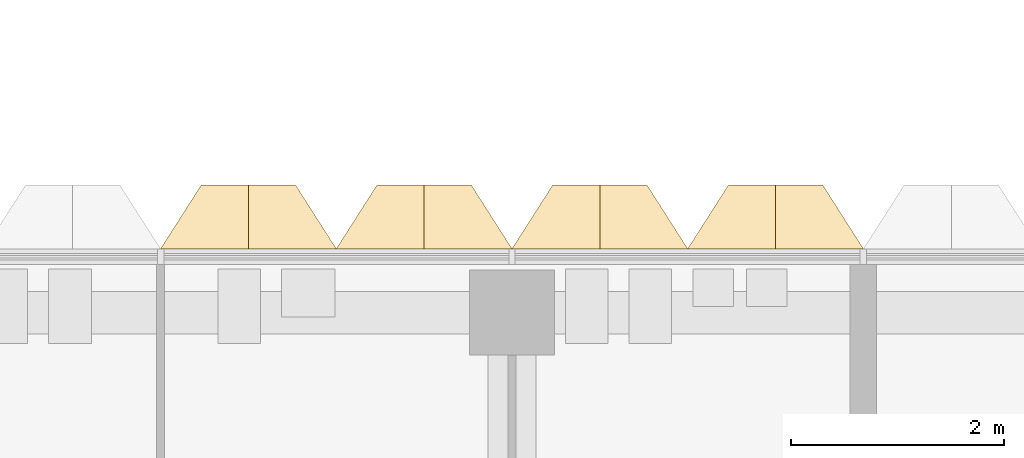
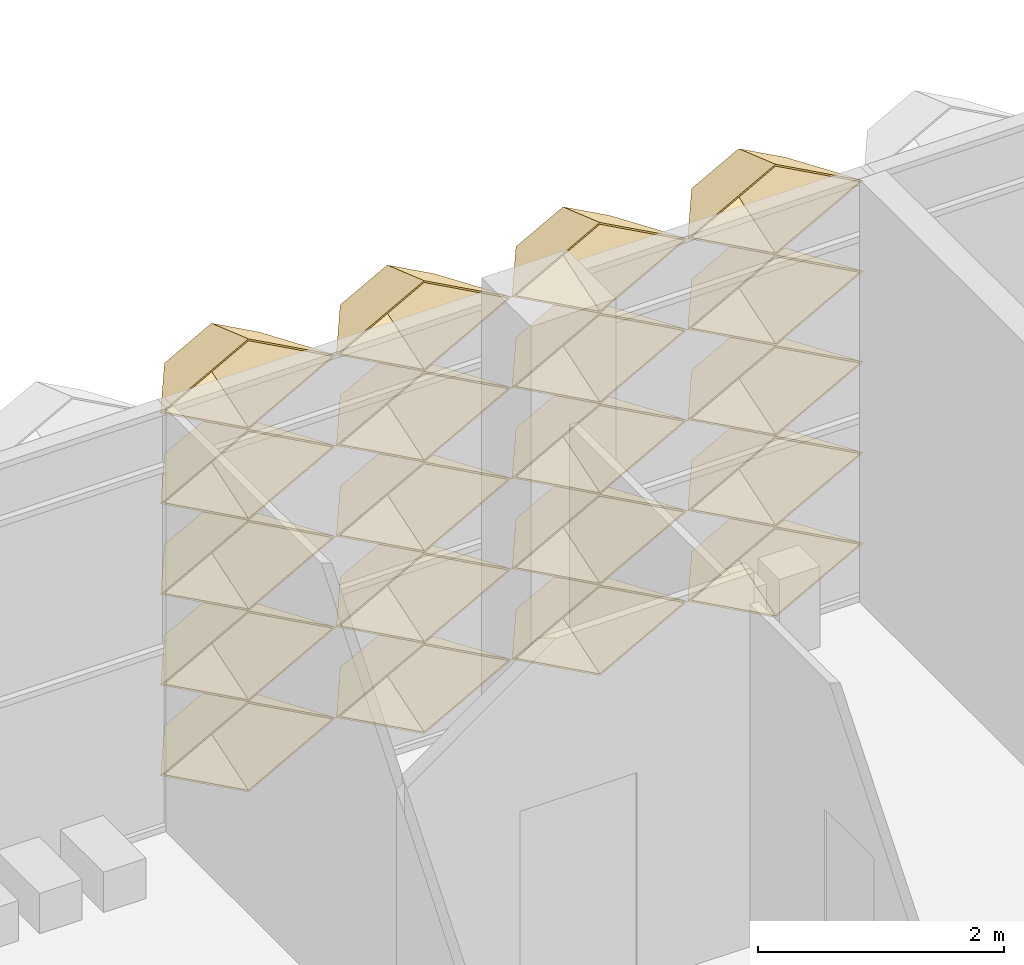
# One storey, part 28 of 39: 20 coverings.
"""IFC4 building model written with IfcOpenShell, lengths in metres."""

from ifc_helpers import new_model, entity, si_unit, direction, frame, origin, place, context, subcontext, project, spatial, material, layer, layer_set, type_object, element, save


model = new_model("IFC4")

# Units and contexts
model_context = context("Model", 3, precision=1e-05, world=origin(), true_north=direction((0.0, 1.0)))
body_context = subcontext(model_context, "Body", "Model", "MODEL_VIEW")
ifc_project = project(units=[si_unit("LENGTHUNIT", "METRE"), si_unit("AREAUNIT", "SQUARE_METRE"), si_unit("VOLUMEUNIT", "CUBIC_METRE"), si_unit("PLANEANGLEUNIT", "RADIAN"), si_unit("MASSUNIT", "GRAM", prefix="KILO")], contexts=[model_context])

# Site, building, storey
site_placement = place(None, origin())
site = spatial("IfcSite", under=ifc_project, at=site_placement, CompositionType="ELEMENT")
building_placement = place(site_placement, origin())
building = spatial("IfcBuilding", under=site, at=building_placement, Name="Lantern Court Research Institute", CompositionType="ELEMENT")
storey_placement = place(building_placement, frame((0.0, 0.0, 27.89990234375)))
storey = spatial("IfcBuildingStorey", under=building, at=storey_placement, Name="L06", CompositionType="ELEMENT", Elevation=27.89990234375)

# Coverings
ifc_material = material(Name="Anodised aluminium", Category="aluminium")
ifc_layer = layer(ifc_material, 0.01611328125)
ifc_layer_set = layer_set([ifc_layer], Name="Anodised aluminium")
covering_type = type_object("IfcCoveringType", Name="Fin cassette 1650 x 900 x 600 aluminium", PredefinedType="CLADDING", material=ifc_layer_set)
covering_1_placement = place(storey_placement, frame((56.925048828125, 23.699951171875, 0.4501953125), z_axis=(0.0, 1.0, 0.0), x_axis=(-1.0, 0.0, 0.0)))
cartesian_point_1 = entity("IfcCartesianPoint", [0.824951171875, 0.0])
cartesian_point_2 = entity("IfcCartesianPoint", [0.79150390625, 0.0])
cartesian_point_3 = entity("IfcCartesianPoint", [0.44189453125, 0.0])
cartesian_point_4 = entity("IfcCartesianPoint", [0.43359375, 0.0])
element("IfcCovering", 1, at=covering_1_placement, inside=storey, type_object=covering_type, Name="Fin cassette V5N-L06 1.35", PredefinedType="CLADDING", context=body_context, shape_type="SweptSolid", body=[
    entity("IfcExtrudedAreaSolidTapered", entity("IfcArbitraryProfileDefWithVoids", "AREA", None, entity("IfcPolyline", [cartesian_point_1, entity("IfcCartesianPoint", [0.0, 0.449951171875]), entity("IfcCartesianPoint", [-0.824951171875, 0.0]), entity("IfcCartesianPoint", [0.0, -0.449951171875]), cartesian_point_1]), [entity("IfcPolyline", [cartesian_point_2, entity("IfcCartesianPoint", [0.0, 0.431884765625]), entity("IfcCartesianPoint", [-0.79150390625, 0.0]), entity("IfcCartesianPoint", [0.0, -0.431884765625]), cartesian_point_2])]), entity("IfcAxis2Placement3D", entity("IfcCartesianPoint", [0.0, 0.0, 0.0])), entity("IfcDirection", [0.0, 0.0, 1.0]), 0.60009765625, entity("IfcArbitraryProfileDefWithVoids", "AREA", None, entity("IfcPolyline", [cartesian_point_3, entity("IfcCartesianPoint", [0.0, 0.240966796875]), entity("IfcCartesianPoint", [-0.44189453125, 0.0]), entity("IfcCartesianPoint", [0.0, -0.240966796875]), cartesian_point_3]), [entity("IfcPolyline", [cartesian_point_4, entity("IfcCartesianPoint", [0.0, 0.236572265625]), entity("IfcCartesianPoint", [-0.43359375, 0.0]), entity("IfcCartesianPoint", [0.0, -0.236572265625]), cartesian_point_4])])),
])
covering_2_placement = place(storey_placement, frame((58.574951171875, 23.699951171875, 0.4501953125), z_axis=(0.0, 1.0, 0.0), x_axis=(-1.0, 0.0, 0.0)))
cartesian_point_5 = entity("IfcCartesianPoint", [0.824951171875, 0.0])
cartesian_point_6 = entity("IfcCartesianPoint", [0.79150390625, 0.0])
cartesian_point_7 = entity("IfcCartesianPoint", [0.44189453125, 0.0])
cartesian_point_8 = entity("IfcCartesianPoint", [0.43359375, 0.0])
element("IfcCovering", 2, at=covering_2_placement, inside=storey, type_object=covering_type, Name="Fin cassette V5N-L06 1.36", PredefinedType="CLADDING", context=body_context, shape_type="SweptSolid", body=[
    entity("IfcExtrudedAreaSolidTapered", entity("IfcArbitraryProfileDefWithVoids", "AREA", None, entity("IfcPolyline", [cartesian_point_5, entity("IfcCartesianPoint", [0.0, 0.449951171875]), entity("IfcCartesianPoint", [-0.824951171875, 0.0]), entity("IfcCartesianPoint", [0.0, -0.449951171875]), cartesian_point_5]), [entity("IfcPolyline", [cartesian_point_6, entity("IfcCartesianPoint", [0.0, 0.431884765625]), entity("IfcCartesianPoint", [-0.79150390625, 0.0]), entity("IfcCartesianPoint", [0.0, -0.431884765625]), cartesian_point_6])]), entity("IfcAxis2Placement3D", entity("IfcCartesianPoint", [0.0, 0.0, 0.0])), entity("IfcDirection", [0.0, 0.0, 1.0]), 0.60009765625, entity("IfcArbitraryProfileDefWithVoids", "AREA", None, entity("IfcPolyline", [cartesian_point_7, entity("IfcCartesianPoint", [0.0, 0.240966796875]), entity("IfcCartesianPoint", [-0.44189453125, 0.0]), entity("IfcCartesianPoint", [0.0, -0.240966796875]), cartesian_point_7]), [entity("IfcPolyline", [cartesian_point_8, entity("IfcCartesianPoint", [0.0, 0.236572265625]), entity("IfcCartesianPoint", [-0.43359375, 0.0]), entity("IfcCartesianPoint", [0.0, -0.236572265625]), cartesian_point_8])])),
])
covering_3_placement = place(storey_placement, frame((60.22509765625, 23.699951171875, 0.4501953125), z_axis=(0.0, 1.0, 0.0), x_axis=(-1.0, 0.0, 0.0)))
cartesian_point_9 = entity("IfcCartesianPoint", [0.824951171875, 0.0])
cartesian_point_10 = entity("IfcCartesianPoint", [0.79150390625, 0.0])
cartesian_point_11 = entity("IfcCartesianPoint", [0.44189453125, 0.0])
cartesian_point_12 = entity("IfcCartesianPoint", [0.43359375, 0.0])
element("IfcCovering", 3, at=covering_3_placement, inside=storey, type_object=covering_type, Name="Fin cassette V5N-L06 1.37", PredefinedType="CLADDING", context=body_context, shape_type="SweptSolid", body=[
    entity("IfcExtrudedAreaSolidTapered", entity("IfcArbitraryProfileDefWithVoids", "AREA", None, entity("IfcPolyline", [cartesian_point_9, entity("IfcCartesianPoint", [0.0, 0.449951171875]), entity("IfcCartesianPoint", [-0.824951171875, 0.0]), entity("IfcCartesianPoint", [0.0, -0.449951171875]), cartesian_point_9]), [entity("IfcPolyline", [cartesian_point_10, entity("IfcCartesianPoint", [0.0, 0.431884765625]), entity("IfcCartesianPoint", [-0.79150390625, 0.0]), entity("IfcCartesianPoint", [0.0, -0.431884765625]), cartesian_point_10])]), entity("IfcAxis2Placement3D", entity("IfcCartesianPoint", [0.0, 0.0, 0.0])), entity("IfcDirection", [0.0, 0.0, 1.0]), 0.60009765625, entity("IfcArbitraryProfileDefWithVoids", "AREA", None, entity("IfcPolyline", [cartesian_point_11, entity("IfcCartesianPoint", [0.0, 0.240966796875]), entity("IfcCartesianPoint", [-0.44189453125, 0.0]), entity("IfcCartesianPoint", [0.0, -0.240966796875]), cartesian_point_11]), [entity("IfcPolyline", [cartesian_point_12, entity("IfcCartesianPoint", [0.0, 0.236572265625]), entity("IfcCartesianPoint", [-0.43359375, 0.0]), entity("IfcCartesianPoint", [0.0, -0.236572265625]), cartesian_point_12])])),
])
covering_4_placement = place(storey_placement, frame((61.875, 23.699951171875, 0.4501953125), z_axis=(0.0, 1.0, 0.0), x_axis=(-1.0, 0.0, 0.0)))
cartesian_point_13 = entity("IfcCartesianPoint", [0.824951171875, 0.0])
cartesian_point_14 = entity("IfcCartesianPoint", [0.79150390625, 0.0])
cartesian_point_15 = entity("IfcCartesianPoint", [0.44189453125, 0.0])
cartesian_point_16 = entity("IfcCartesianPoint", [0.43359375, 0.0])
element("IfcCovering", 4, at=covering_4_placement, inside=storey, type_object=covering_type, Name="Fin cassette V5N-L06 1.38", PredefinedType="CLADDING", context=body_context, shape_type="SweptSolid", body=[
    entity("IfcExtrudedAreaSolidTapered", entity("IfcArbitraryProfileDefWithVoids", "AREA", None, entity("IfcPolyline", [cartesian_point_13, entity("IfcCartesianPoint", [0.0, 0.449951171875]), entity("IfcCartesianPoint", [-0.824951171875, 0.0]), entity("IfcCartesianPoint", [0.0, -0.449951171875]), cartesian_point_13]), [entity("IfcPolyline", [cartesian_point_14, entity("IfcCartesianPoint", [0.0, 0.431884765625]), entity("IfcCartesianPoint", [-0.79150390625, 0.0]), entity("IfcCartesianPoint", [0.0, -0.431884765625]), cartesian_point_14])]), entity("IfcAxis2Placement3D", entity("IfcCartesianPoint", [0.0, 0.0, 0.0])), entity("IfcDirection", [0.0, 0.0, 1.0]), 0.60009765625, entity("IfcArbitraryProfileDefWithVoids", "AREA", None, entity("IfcPolyline", [cartesian_point_15, entity("IfcCartesianPoint", [0.0, 0.240966796875]), entity("IfcCartesianPoint", [-0.44189453125, 0.0]), entity("IfcCartesianPoint", [0.0, -0.240966796875]), cartesian_point_15]), [entity("IfcPolyline", [cartesian_point_16, entity("IfcCartesianPoint", [0.0, 0.236572265625]), entity("IfcCartesianPoint", [-0.43359375, 0.0]), entity("IfcCartesianPoint", [0.0, -0.236572265625]), cartesian_point_16])])),
])
covering_5_placement = place(storey_placement, frame((56.925048828125, 23.699951171875, 1.35009765625), z_axis=(0.0, 1.0, 0.0), x_axis=(-1.0, 0.0, 0.0)))
cartesian_point_17 = entity("IfcCartesianPoint", [0.824951171875, 0.0])
cartesian_point_18 = entity("IfcCartesianPoint", [0.79150390625, 0.0])
cartesian_point_19 = entity("IfcCartesianPoint", [0.44189453125, 0.0])
cartesian_point_20 = entity("IfcCartesianPoint", [0.43359375, 0.0])
element("IfcCovering", 5, at=covering_5_placement, inside=storey, type_object=covering_type, Name="Fin cassette V5N-L06 2.35", PredefinedType="CLADDING", context=body_context, shape_type="SweptSolid", body=[
    entity("IfcExtrudedAreaSolidTapered", entity("IfcArbitraryProfileDefWithVoids", "AREA", None, entity("IfcPolyline", [cartesian_point_17, entity("IfcCartesianPoint", [0.0, 0.449951171875]), entity("IfcCartesianPoint", [-0.824951171875, 0.0]), entity("IfcCartesianPoint", [0.0, -0.449951171875]), cartesian_point_17]), [entity("IfcPolyline", [cartesian_point_18, entity("IfcCartesianPoint", [0.0, 0.431884765625]), entity("IfcCartesianPoint", [-0.79150390625, 0.0]), entity("IfcCartesianPoint", [0.0, -0.431884765625]), cartesian_point_18])]), entity("IfcAxis2Placement3D", entity("IfcCartesianPoint", [0.0, 0.0, 0.0])), entity("IfcDirection", [0.0, 0.0, 1.0]), 0.60009765625, entity("IfcArbitraryProfileDefWithVoids", "AREA", None, entity("IfcPolyline", [cartesian_point_19, entity("IfcCartesianPoint", [0.0, 0.240966796875]), entity("IfcCartesianPoint", [-0.44189453125, 0.0]), entity("IfcCartesianPoint", [0.0, -0.240966796875]), cartesian_point_19]), [entity("IfcPolyline", [cartesian_point_20, entity("IfcCartesianPoint", [0.0, 0.236572265625]), entity("IfcCartesianPoint", [-0.43359375, 0.0]), entity("IfcCartesianPoint", [0.0, -0.236572265625]), cartesian_point_20])])),
])
covering_6_placement = place(storey_placement, frame((58.574951171875, 23.699951171875, 1.35009765625), z_axis=(0.0, 1.0, 0.0), x_axis=(-1.0, 0.0, 0.0)))
cartesian_point_21 = entity("IfcCartesianPoint", [0.824951171875, 0.0])
cartesian_point_22 = entity("IfcCartesianPoint", [0.79150390625, 0.0])
cartesian_point_23 = entity("IfcCartesianPoint", [0.44189453125, 0.0])
cartesian_point_24 = entity("IfcCartesianPoint", [0.43359375, 0.0])
element("IfcCovering", 6, at=covering_6_placement, inside=storey, type_object=covering_type, Name="Fin cassette V5N-L06 2.36", PredefinedType="CLADDING", context=body_context, shape_type="SweptSolid", body=[
    entity("IfcExtrudedAreaSolidTapered", entity("IfcArbitraryProfileDefWithVoids", "AREA", None, entity("IfcPolyline", [cartesian_point_21, entity("IfcCartesianPoint", [0.0, 0.449951171875]), entity("IfcCartesianPoint", [-0.824951171875, 0.0]), entity("IfcCartesianPoint", [0.0, -0.449951171875]), cartesian_point_21]), [entity("IfcPolyline", [cartesian_point_22, entity("IfcCartesianPoint", [0.0, 0.431884765625]), entity("IfcCartesianPoint", [-0.79150390625, 0.0]), entity("IfcCartesianPoint", [0.0, -0.431884765625]), cartesian_point_22])]), entity("IfcAxis2Placement3D", entity("IfcCartesianPoint", [0.0, 0.0, 0.0])), entity("IfcDirection", [0.0, 0.0, 1.0]), 0.60009765625, entity("IfcArbitraryProfileDefWithVoids", "AREA", None, entity("IfcPolyline", [cartesian_point_23, entity("IfcCartesianPoint", [0.0, 0.240966796875]), entity("IfcCartesianPoint", [-0.44189453125, 0.0]), entity("IfcCartesianPoint", [0.0, -0.240966796875]), cartesian_point_23]), [entity("IfcPolyline", [cartesian_point_24, entity("IfcCartesianPoint", [0.0, 0.236572265625]), entity("IfcCartesianPoint", [-0.43359375, 0.0]), entity("IfcCartesianPoint", [0.0, -0.236572265625]), cartesian_point_24])])),
])
covering_7_placement = place(storey_placement, frame((60.22509765625, 23.699951171875, 1.35009765625), z_axis=(0.0, 1.0, 0.0), x_axis=(-1.0, 0.0, 0.0)))
cartesian_point_25 = entity("IfcCartesianPoint", [0.824951171875, 0.0])
cartesian_point_26 = entity("IfcCartesianPoint", [0.79150390625, 0.0])
cartesian_point_27 = entity("IfcCartesianPoint", [0.44189453125, 0.0])
cartesian_point_28 = entity("IfcCartesianPoint", [0.43359375, 0.0])
element("IfcCovering", 7, at=covering_7_placement, inside=storey, type_object=covering_type, Name="Fin cassette V5N-L06 2.37", PredefinedType="CLADDING", context=body_context, shape_type="SweptSolid", body=[
    entity("IfcExtrudedAreaSolidTapered", entity("IfcArbitraryProfileDefWithVoids", "AREA", None, entity("IfcPolyline", [cartesian_point_25, entity("IfcCartesianPoint", [0.0, 0.449951171875]), entity("IfcCartesianPoint", [-0.824951171875, 0.0]), entity("IfcCartesianPoint", [0.0, -0.449951171875]), cartesian_point_25]), [entity("IfcPolyline", [cartesian_point_26, entity("IfcCartesianPoint", [0.0, 0.431884765625]), entity("IfcCartesianPoint", [-0.79150390625, 0.0]), entity("IfcCartesianPoint", [0.0, -0.431884765625]), cartesian_point_26])]), entity("IfcAxis2Placement3D", entity("IfcCartesianPoint", [0.0, 0.0, 0.0])), entity("IfcDirection", [0.0, 0.0, 1.0]), 0.60009765625, entity("IfcArbitraryProfileDefWithVoids", "AREA", None, entity("IfcPolyline", [cartesian_point_27, entity("IfcCartesianPoint", [0.0, 0.240966796875]), entity("IfcCartesianPoint", [-0.44189453125, 0.0]), entity("IfcCartesianPoint", [0.0, -0.240966796875]), cartesian_point_27]), [entity("IfcPolyline", [cartesian_point_28, entity("IfcCartesianPoint", [0.0, 0.236572265625]), entity("IfcCartesianPoint", [-0.43359375, 0.0]), entity("IfcCartesianPoint", [0.0, -0.236572265625]), cartesian_point_28])])),
])
covering_8_placement = place(storey_placement, frame((61.875, 23.699951171875, 1.35009765625), z_axis=(0.0, 1.0, 0.0), x_axis=(-1.0, 0.0, 0.0)))
cartesian_point_29 = entity("IfcCartesianPoint", [0.824951171875, 0.0])
cartesian_point_30 = entity("IfcCartesianPoint", [0.79150390625, 0.0])
cartesian_point_31 = entity("IfcCartesianPoint", [0.44189453125, 0.0])
cartesian_point_32 = entity("IfcCartesianPoint", [0.43359375, 0.0])
element("IfcCovering", 8, at=covering_8_placement, inside=storey, type_object=covering_type, Name="Fin cassette V5N-L06 2.38", PredefinedType="CLADDING", context=body_context, shape_type="SweptSolid", body=[
    entity("IfcExtrudedAreaSolidTapered", entity("IfcArbitraryProfileDefWithVoids", "AREA", None, entity("IfcPolyline", [cartesian_point_29, entity("IfcCartesianPoint", [0.0, 0.449951171875]), entity("IfcCartesianPoint", [-0.824951171875, 0.0]), entity("IfcCartesianPoint", [0.0, -0.449951171875]), cartesian_point_29]), [entity("IfcPolyline", [cartesian_point_30, entity("IfcCartesianPoint", [0.0, 0.431884765625]), entity("IfcCartesianPoint", [-0.79150390625, 0.0]), entity("IfcCartesianPoint", [0.0, -0.431884765625]), cartesian_point_30])]), entity("IfcAxis2Placement3D", entity("IfcCartesianPoint", [0.0, 0.0, 0.0])), entity("IfcDirection", [0.0, 0.0, 1.0]), 0.60009765625, entity("IfcArbitraryProfileDefWithVoids", "AREA", None, entity("IfcPolyline", [cartesian_point_31, entity("IfcCartesianPoint", [0.0, 0.240966796875]), entity("IfcCartesianPoint", [-0.44189453125, 0.0]), entity("IfcCartesianPoint", [0.0, -0.240966796875]), cartesian_point_31]), [entity("IfcPolyline", [cartesian_point_32, entity("IfcCartesianPoint", [0.0, 0.236572265625]), entity("IfcCartesianPoint", [-0.43359375, 0.0]), entity("IfcCartesianPoint", [0.0, -0.236572265625]), cartesian_point_32])])),
])
covering_9_placement = place(storey_placement, frame((56.925048828125, 23.699951171875, 2.25), z_axis=(0.0, 1.0, 0.0), x_axis=(-1.0, 0.0, 0.0)))
cartesian_point_33 = entity("IfcCartesianPoint", [0.824951171875, 0.0])
cartesian_point_34 = entity("IfcCartesianPoint", [0.79150390625, 0.0])
cartesian_point_35 = entity("IfcCartesianPoint", [0.44189453125, 0.0])
cartesian_point_36 = entity("IfcCartesianPoint", [0.43359375, 0.0])
element("IfcCovering", 9, at=covering_9_placement, inside=storey, type_object=covering_type, Name="Fin cassette V5N-L06 3.35", PredefinedType="CLADDING", context=body_context, shape_type="SweptSolid", body=[
    entity("IfcExtrudedAreaSolidTapered", entity("IfcArbitraryProfileDefWithVoids", "AREA", None, entity("IfcPolyline", [cartesian_point_33, entity("IfcCartesianPoint", [0.0, 0.449951171875]), entity("IfcCartesianPoint", [-0.824951171875, 0.0]), entity("IfcCartesianPoint", [0.0, -0.449951171875]), cartesian_point_33]), [entity("IfcPolyline", [cartesian_point_34, entity("IfcCartesianPoint", [0.0, 0.431884765625]), entity("IfcCartesianPoint", [-0.79150390625, 0.0]), entity("IfcCartesianPoint", [0.0, -0.431884765625]), cartesian_point_34])]), entity("IfcAxis2Placement3D", entity("IfcCartesianPoint", [0.0, 0.0, 0.0])), entity("IfcDirection", [0.0, 0.0, 1.0]), 0.60009765625, entity("IfcArbitraryProfileDefWithVoids", "AREA", None, entity("IfcPolyline", [cartesian_point_35, entity("IfcCartesianPoint", [0.0, 0.240966796875]), entity("IfcCartesianPoint", [-0.44189453125, 0.0]), entity("IfcCartesianPoint", [0.0, -0.240966796875]), cartesian_point_35]), [entity("IfcPolyline", [cartesian_point_36, entity("IfcCartesianPoint", [0.0, 0.236572265625]), entity("IfcCartesianPoint", [-0.43359375, 0.0]), entity("IfcCartesianPoint", [0.0, -0.236572265625]), cartesian_point_36])])),
])
covering_10_placement = place(storey_placement, frame((58.574951171875, 23.699951171875, 2.25), z_axis=(0.0, 1.0, 0.0), x_axis=(-1.0, 0.0, 0.0)))
cartesian_point_37 = entity("IfcCartesianPoint", [0.824951171875, 0.0])
cartesian_point_38 = entity("IfcCartesianPoint", [0.79150390625, 0.0])
cartesian_point_39 = entity("IfcCartesianPoint", [0.44189453125, 0.0])
cartesian_point_40 = entity("IfcCartesianPoint", [0.43359375, 0.0])
element("IfcCovering", 10, at=covering_10_placement, inside=storey, type_object=covering_type, Name="Fin cassette V5N-L06 3.36", PredefinedType="CLADDING", context=body_context, shape_type="SweptSolid", body=[
    entity("IfcExtrudedAreaSolidTapered", entity("IfcArbitraryProfileDefWithVoids", "AREA", None, entity("IfcPolyline", [cartesian_point_37, entity("IfcCartesianPoint", [0.0, 0.449951171875]), entity("IfcCartesianPoint", [-0.824951171875, 0.0]), entity("IfcCartesianPoint", [0.0, -0.449951171875]), cartesian_point_37]), [entity("IfcPolyline", [cartesian_point_38, entity("IfcCartesianPoint", [0.0, 0.431884765625]), entity("IfcCartesianPoint", [-0.79150390625, 0.0]), entity("IfcCartesianPoint", [0.0, -0.431884765625]), cartesian_point_38])]), entity("IfcAxis2Placement3D", entity("IfcCartesianPoint", [0.0, 0.0, 0.0])), entity("IfcDirection", [0.0, 0.0, 1.0]), 0.60009765625, entity("IfcArbitraryProfileDefWithVoids", "AREA", None, entity("IfcPolyline", [cartesian_point_39, entity("IfcCartesianPoint", [0.0, 0.240966796875]), entity("IfcCartesianPoint", [-0.44189453125, 0.0]), entity("IfcCartesianPoint", [0.0, -0.240966796875]), cartesian_point_39]), [entity("IfcPolyline", [cartesian_point_40, entity("IfcCartesianPoint", [0.0, 0.236572265625]), entity("IfcCartesianPoint", [-0.43359375, 0.0]), entity("IfcCartesianPoint", [0.0, -0.236572265625]), cartesian_point_40])])),
])
covering_11_placement = place(storey_placement, frame((60.22509765625, 23.699951171875, 2.25), z_axis=(0.0, 1.0, 0.0), x_axis=(-1.0, 0.0, 0.0)))
cartesian_point_41 = entity("IfcCartesianPoint", [0.824951171875, 0.0])
cartesian_point_42 = entity("IfcCartesianPoint", [0.79150390625, 0.0])
cartesian_point_43 = entity("IfcCartesianPoint", [0.44189453125, 0.0])
cartesian_point_44 = entity("IfcCartesianPoint", [0.43359375, 0.0])
element("IfcCovering", 11, at=covering_11_placement, inside=storey, type_object=covering_type, Name="Fin cassette V5N-L06 3.37", PredefinedType="CLADDING", context=body_context, shape_type="SweptSolid", body=[
    entity("IfcExtrudedAreaSolidTapered", entity("IfcArbitraryProfileDefWithVoids", "AREA", None, entity("IfcPolyline", [cartesian_point_41, entity("IfcCartesianPoint", [0.0, 0.449951171875]), entity("IfcCartesianPoint", [-0.824951171875, 0.0]), entity("IfcCartesianPoint", [0.0, -0.449951171875]), cartesian_point_41]), [entity("IfcPolyline", [cartesian_point_42, entity("IfcCartesianPoint", [0.0, 0.431884765625]), entity("IfcCartesianPoint", [-0.79150390625, 0.0]), entity("IfcCartesianPoint", [0.0, -0.431884765625]), cartesian_point_42])]), entity("IfcAxis2Placement3D", entity("IfcCartesianPoint", [0.0, 0.0, 0.0])), entity("IfcDirection", [0.0, 0.0, 1.0]), 0.60009765625, entity("IfcArbitraryProfileDefWithVoids", "AREA", None, entity("IfcPolyline", [cartesian_point_43, entity("IfcCartesianPoint", [0.0, 0.240966796875]), entity("IfcCartesianPoint", [-0.44189453125, 0.0]), entity("IfcCartesianPoint", [0.0, -0.240966796875]), cartesian_point_43]), [entity("IfcPolyline", [cartesian_point_44, entity("IfcCartesianPoint", [0.0, 0.236572265625]), entity("IfcCartesianPoint", [-0.43359375, 0.0]), entity("IfcCartesianPoint", [0.0, -0.236572265625]), cartesian_point_44])])),
])
covering_12_placement = place(storey_placement, frame((61.875, 23.699951171875, 2.25), z_axis=(0.0, 1.0, 0.0), x_axis=(-1.0, 0.0, 0.0)))
cartesian_point_45 = entity("IfcCartesianPoint", [0.824951171875, 0.0])
cartesian_point_46 = entity("IfcCartesianPoint", [0.79150390625, 0.0])
cartesian_point_47 = entity("IfcCartesianPoint", [0.44189453125, 0.0])
cartesian_point_48 = entity("IfcCartesianPoint", [0.43359375, 0.0])
element("IfcCovering", 12, at=covering_12_placement, inside=storey, type_object=covering_type, Name="Fin cassette V5N-L06 3.38", PredefinedType="CLADDING", context=body_context, shape_type="SweptSolid", body=[
    entity("IfcExtrudedAreaSolidTapered", entity("IfcArbitraryProfileDefWithVoids", "AREA", None, entity("IfcPolyline", [cartesian_point_45, entity("IfcCartesianPoint", [0.0, 0.449951171875]), entity("IfcCartesianPoint", [-0.824951171875, 0.0]), entity("IfcCartesianPoint", [0.0, -0.449951171875]), cartesian_point_45]), [entity("IfcPolyline", [cartesian_point_46, entity("IfcCartesianPoint", [0.0, 0.431884765625]), entity("IfcCartesianPoint", [-0.79150390625, 0.0]), entity("IfcCartesianPoint", [0.0, -0.431884765625]), cartesian_point_46])]), entity("IfcAxis2Placement3D", entity("IfcCartesianPoint", [0.0, 0.0, 0.0])), entity("IfcDirection", [0.0, 0.0, 1.0]), 0.60009765625, entity("IfcArbitraryProfileDefWithVoids", "AREA", None, entity("IfcPolyline", [cartesian_point_47, entity("IfcCartesianPoint", [0.0, 0.240966796875]), entity("IfcCartesianPoint", [-0.44189453125, 0.0]), entity("IfcCartesianPoint", [0.0, -0.240966796875]), cartesian_point_47]), [entity("IfcPolyline", [cartesian_point_48, entity("IfcCartesianPoint", [0.0, 0.236572265625]), entity("IfcCartesianPoint", [-0.43359375, 0.0]), entity("IfcCartesianPoint", [0.0, -0.236572265625]), cartesian_point_48])])),
])
covering_13_placement = place(storey_placement, frame((56.925048828125, 23.699951171875, 3.150146484375), z_axis=(0.0, 1.0, 0.0), x_axis=(-1.0, 0.0, 0.0)))
cartesian_point_49 = entity("IfcCartesianPoint", [0.824951171875, 0.0])
cartesian_point_50 = entity("IfcCartesianPoint", [0.79150390625, 0.0])
cartesian_point_51 = entity("IfcCartesianPoint", [0.44189453125, 0.0])
cartesian_point_52 = entity("IfcCartesianPoint", [0.43359375, 0.0])
element("IfcCovering", 13, at=covering_13_placement, inside=storey, type_object=covering_type, Name="Fin cassette V5N-L06 4.35", PredefinedType="CLADDING", context=body_context, shape_type="SweptSolid", body=[
    entity("IfcExtrudedAreaSolidTapered", entity("IfcArbitraryProfileDefWithVoids", "AREA", None, entity("IfcPolyline", [cartesian_point_49, entity("IfcCartesianPoint", [0.0, 0.449951171875]), entity("IfcCartesianPoint", [-0.824951171875, 0.0]), entity("IfcCartesianPoint", [0.0, -0.449951171875]), cartesian_point_49]), [entity("IfcPolyline", [cartesian_point_50, entity("IfcCartesianPoint", [0.0, 0.431884765625]), entity("IfcCartesianPoint", [-0.79150390625, 0.0]), entity("IfcCartesianPoint", [0.0, -0.431884765625]), cartesian_point_50])]), entity("IfcAxis2Placement3D", entity("IfcCartesianPoint", [0.0, 0.0, 0.0])), entity("IfcDirection", [0.0, 0.0, 1.0]), 0.60009765625, entity("IfcArbitraryProfileDefWithVoids", "AREA", None, entity("IfcPolyline", [cartesian_point_51, entity("IfcCartesianPoint", [0.0, 0.240966796875]), entity("IfcCartesianPoint", [-0.44189453125, 0.0]), entity("IfcCartesianPoint", [0.0, -0.240966796875]), cartesian_point_51]), [entity("IfcPolyline", [cartesian_point_52, entity("IfcCartesianPoint", [0.0, 0.236572265625]), entity("IfcCartesianPoint", [-0.43359375, 0.0]), entity("IfcCartesianPoint", [0.0, -0.236572265625]), cartesian_point_52])])),
])
covering_14_placement = place(storey_placement, frame((58.574951171875, 23.699951171875, 3.150146484375), z_axis=(0.0, 1.0, 0.0), x_axis=(-1.0, 0.0, 0.0)))
cartesian_point_53 = entity("IfcCartesianPoint", [0.824951171875, 0.0])
cartesian_point_54 = entity("IfcCartesianPoint", [0.79150390625, 0.0])
cartesian_point_55 = entity("IfcCartesianPoint", [0.44189453125, 0.0])
cartesian_point_56 = entity("IfcCartesianPoint", [0.43359375, 0.0])
element("IfcCovering", 14, at=covering_14_placement, inside=storey, type_object=covering_type, Name="Fin cassette V5N-L06 4.36", PredefinedType="CLADDING", context=body_context, shape_type="SweptSolid", body=[
    entity("IfcExtrudedAreaSolidTapered", entity("IfcArbitraryProfileDefWithVoids", "AREA", None, entity("IfcPolyline", [cartesian_point_53, entity("IfcCartesianPoint", [0.0, 0.449951171875]), entity("IfcCartesianPoint", [-0.824951171875, 0.0]), entity("IfcCartesianPoint", [0.0, -0.449951171875]), cartesian_point_53]), [entity("IfcPolyline", [cartesian_point_54, entity("IfcCartesianPoint", [0.0, 0.431884765625]), entity("IfcCartesianPoint", [-0.79150390625, 0.0]), entity("IfcCartesianPoint", [0.0, -0.431884765625]), cartesian_point_54])]), entity("IfcAxis2Placement3D", entity("IfcCartesianPoint", [0.0, 0.0, 0.0])), entity("IfcDirection", [0.0, 0.0, 1.0]), 0.60009765625, entity("IfcArbitraryProfileDefWithVoids", "AREA", None, entity("IfcPolyline", [cartesian_point_55, entity("IfcCartesianPoint", [0.0, 0.240966796875]), entity("IfcCartesianPoint", [-0.44189453125, 0.0]), entity("IfcCartesianPoint", [0.0, -0.240966796875]), cartesian_point_55]), [entity("IfcPolyline", [cartesian_point_56, entity("IfcCartesianPoint", [0.0, 0.236572265625]), entity("IfcCartesianPoint", [-0.43359375, 0.0]), entity("IfcCartesianPoint", [0.0, -0.236572265625]), cartesian_point_56])])),
])
covering_15_placement = place(storey_placement, frame((60.22509765625, 23.699951171875, 3.150146484375), z_axis=(0.0, 1.0, 0.0), x_axis=(-1.0, 0.0, 0.0)))
cartesian_point_57 = entity("IfcCartesianPoint", [0.824951171875, 0.0])
cartesian_point_58 = entity("IfcCartesianPoint", [0.79150390625, 0.0])
cartesian_point_59 = entity("IfcCartesianPoint", [0.44189453125, 0.0])
cartesian_point_60 = entity("IfcCartesianPoint", [0.43359375, 0.0])
element("IfcCovering", 15, at=covering_15_placement, inside=storey, type_object=covering_type, Name="Fin cassette V5N-L06 4.37", PredefinedType="CLADDING", context=body_context, shape_type="SweptSolid", body=[
    entity("IfcExtrudedAreaSolidTapered", entity("IfcArbitraryProfileDefWithVoids", "AREA", None, entity("IfcPolyline", [cartesian_point_57, entity("IfcCartesianPoint", [0.0, 0.449951171875]), entity("IfcCartesianPoint", [-0.824951171875, 0.0]), entity("IfcCartesianPoint", [0.0, -0.449951171875]), cartesian_point_57]), [entity("IfcPolyline", [cartesian_point_58, entity("IfcCartesianPoint", [0.0, 0.431884765625]), entity("IfcCartesianPoint", [-0.79150390625, 0.0]), entity("IfcCartesianPoint", [0.0, -0.431884765625]), cartesian_point_58])]), entity("IfcAxis2Placement3D", entity("IfcCartesianPoint", [0.0, 0.0, 0.0])), entity("IfcDirection", [0.0, 0.0, 1.0]), 0.60009765625, entity("IfcArbitraryProfileDefWithVoids", "AREA", None, entity("IfcPolyline", [cartesian_point_59, entity("IfcCartesianPoint", [0.0, 0.240966796875]), entity("IfcCartesianPoint", [-0.44189453125, 0.0]), entity("IfcCartesianPoint", [0.0, -0.240966796875]), cartesian_point_59]), [entity("IfcPolyline", [cartesian_point_60, entity("IfcCartesianPoint", [0.0, 0.236572265625]), entity("IfcCartesianPoint", [-0.43359375, 0.0]), entity("IfcCartesianPoint", [0.0, -0.236572265625]), cartesian_point_60])])),
])
covering_16_placement = place(storey_placement, frame((61.875, 23.699951171875, 3.150146484375), z_axis=(0.0, 1.0, 0.0), x_axis=(-1.0, 0.0, 0.0)))
cartesian_point_61 = entity("IfcCartesianPoint", [0.824951171875, 0.0])
cartesian_point_62 = entity("IfcCartesianPoint", [0.79150390625, 0.0])
cartesian_point_63 = entity("IfcCartesianPoint", [0.44189453125, 0.0])
cartesian_point_64 = entity("IfcCartesianPoint", [0.43359375, 0.0])
element("IfcCovering", 16, at=covering_16_placement, inside=storey, type_object=covering_type, Name="Fin cassette V5N-L06 4.38", PredefinedType="CLADDING", context=body_context, shape_type="SweptSolid", body=[
    entity("IfcExtrudedAreaSolidTapered", entity("IfcArbitraryProfileDefWithVoids", "AREA", None, entity("IfcPolyline", [cartesian_point_61, entity("IfcCartesianPoint", [0.0, 0.449951171875]), entity("IfcCartesianPoint", [-0.824951171875, 0.0]), entity("IfcCartesianPoint", [0.0, -0.449951171875]), cartesian_point_61]), [entity("IfcPolyline", [cartesian_point_62, entity("IfcCartesianPoint", [0.0, 0.431884765625]), entity("IfcCartesianPoint", [-0.79150390625, 0.0]), entity("IfcCartesianPoint", [0.0, -0.431884765625]), cartesian_point_62])]), entity("IfcAxis2Placement3D", entity("IfcCartesianPoint", [0.0, 0.0, 0.0])), entity("IfcDirection", [0.0, 0.0, 1.0]), 0.60009765625, entity("IfcArbitraryProfileDefWithVoids", "AREA", None, entity("IfcPolyline", [cartesian_point_63, entity("IfcCartesianPoint", [0.0, 0.240966796875]), entity("IfcCartesianPoint", [-0.44189453125, 0.0]), entity("IfcCartesianPoint", [0.0, -0.240966796875]), cartesian_point_63]), [entity("IfcPolyline", [cartesian_point_64, entity("IfcCartesianPoint", [0.0, 0.236572265625]), entity("IfcCartesianPoint", [-0.43359375, 0.0]), entity("IfcCartesianPoint", [0.0, -0.236572265625]), cartesian_point_64])])),
])
covering_17_placement = place(storey_placement, frame((56.925048828125, 23.699951171875, 4.050048828125), z_axis=(0.0, 1.0, 0.0), x_axis=(-1.0, 0.0, 0.0)))
cartesian_point_65 = entity("IfcCartesianPoint", [0.824951171875, 0.0])
cartesian_point_66 = entity("IfcCartesianPoint", [0.79150390625, 0.0])
cartesian_point_67 = entity("IfcCartesianPoint", [0.44189453125, 0.0])
cartesian_point_68 = entity("IfcCartesianPoint", [0.43359375, 0.0])
element("IfcCovering", 17, at=covering_17_placement, inside=storey, type_object=covering_type, Name="Fin cassette V5N-L06 5.35", PredefinedType="CLADDING", context=body_context, shape_type="SweptSolid", body=[
    entity("IfcExtrudedAreaSolidTapered", entity("IfcArbitraryProfileDefWithVoids", "AREA", None, entity("IfcPolyline", [cartesian_point_65, entity("IfcCartesianPoint", [0.0, 0.449951171875]), entity("IfcCartesianPoint", [-0.824951171875, 0.0]), entity("IfcCartesianPoint", [0.0, -0.449951171875]), cartesian_point_65]), [entity("IfcPolyline", [cartesian_point_66, entity("IfcCartesianPoint", [0.0, 0.431884765625]), entity("IfcCartesianPoint", [-0.79150390625, 0.0]), entity("IfcCartesianPoint", [0.0, -0.431884765625]), cartesian_point_66])]), entity("IfcAxis2Placement3D", entity("IfcCartesianPoint", [0.0, 0.0, 0.0])), entity("IfcDirection", [0.0, 0.0, 1.0]), 0.60009765625, entity("IfcArbitraryProfileDefWithVoids", "AREA", None, entity("IfcPolyline", [cartesian_point_67, entity("IfcCartesianPoint", [0.0, 0.240966796875]), entity("IfcCartesianPoint", [-0.44189453125, 0.0]), entity("IfcCartesianPoint", [0.0, -0.240966796875]), cartesian_point_67]), [entity("IfcPolyline", [cartesian_point_68, entity("IfcCartesianPoint", [0.0, 0.236572265625]), entity("IfcCartesianPoint", [-0.43359375, 0.0]), entity("IfcCartesianPoint", [0.0, -0.236572265625]), cartesian_point_68])])),
])
covering_18_placement = place(storey_placement, frame((58.574951171875, 23.699951171875, 4.050048828125), z_axis=(0.0, 1.0, 0.0), x_axis=(-1.0, 0.0, 0.0)))
cartesian_point_69 = entity("IfcCartesianPoint", [0.824951171875, 0.0])
cartesian_point_70 = entity("IfcCartesianPoint", [0.79150390625, 0.0])
cartesian_point_71 = entity("IfcCartesianPoint", [0.44189453125, 0.0])
cartesian_point_72 = entity("IfcCartesianPoint", [0.43359375, 0.0])
element("IfcCovering", 18, at=covering_18_placement, inside=storey, type_object=covering_type, Name="Fin cassette V5N-L06 5.36", PredefinedType="CLADDING", context=body_context, shape_type="SweptSolid", body=[
    entity("IfcExtrudedAreaSolidTapered", entity("IfcArbitraryProfileDefWithVoids", "AREA", None, entity("IfcPolyline", [cartesian_point_69, entity("IfcCartesianPoint", [0.0, 0.449951171875]), entity("IfcCartesianPoint", [-0.824951171875, 0.0]), entity("IfcCartesianPoint", [0.0, -0.449951171875]), cartesian_point_69]), [entity("IfcPolyline", [cartesian_point_70, entity("IfcCartesianPoint", [0.0, 0.431884765625]), entity("IfcCartesianPoint", [-0.79150390625, 0.0]), entity("IfcCartesianPoint", [0.0, -0.431884765625]), cartesian_point_70])]), entity("IfcAxis2Placement3D", entity("IfcCartesianPoint", [0.0, 0.0, 0.0])), entity("IfcDirection", [0.0, 0.0, 1.0]), 0.60009765625, entity("IfcArbitraryProfileDefWithVoids", "AREA", None, entity("IfcPolyline", [cartesian_point_71, entity("IfcCartesianPoint", [0.0, 0.240966796875]), entity("IfcCartesianPoint", [-0.44189453125, 0.0]), entity("IfcCartesianPoint", [0.0, -0.240966796875]), cartesian_point_71]), [entity("IfcPolyline", [cartesian_point_72, entity("IfcCartesianPoint", [0.0, 0.236572265625]), entity("IfcCartesianPoint", [-0.43359375, 0.0]), entity("IfcCartesianPoint", [0.0, -0.236572265625]), cartesian_point_72])])),
])
covering_19_placement = place(storey_placement, frame((60.22509765625, 23.699951171875, 4.050048828125), z_axis=(0.0, 1.0, 0.0), x_axis=(-1.0, 0.0, 0.0)))
cartesian_point_73 = entity("IfcCartesianPoint", [0.824951171875, 0.0])
cartesian_point_74 = entity("IfcCartesianPoint", [0.79150390625, 0.0])
cartesian_point_75 = entity("IfcCartesianPoint", [0.44189453125, 0.0])
cartesian_point_76 = entity("IfcCartesianPoint", [0.43359375, 0.0])
element("IfcCovering", 19, at=covering_19_placement, inside=storey, type_object=covering_type, Name="Fin cassette V5N-L06 5.37", PredefinedType="CLADDING", context=body_context, shape_type="SweptSolid", body=[
    entity("IfcExtrudedAreaSolidTapered", entity("IfcArbitraryProfileDefWithVoids", "AREA", None, entity("IfcPolyline", [cartesian_point_73, entity("IfcCartesianPoint", [0.0, 0.449951171875]), entity("IfcCartesianPoint", [-0.824951171875, 0.0]), entity("IfcCartesianPoint", [0.0, -0.449951171875]), cartesian_point_73]), [entity("IfcPolyline", [cartesian_point_74, entity("IfcCartesianPoint", [0.0, 0.431884765625]), entity("IfcCartesianPoint", [-0.79150390625, 0.0]), entity("IfcCartesianPoint", [0.0, -0.431884765625]), cartesian_point_74])]), entity("IfcAxis2Placement3D", entity("IfcCartesianPoint", [0.0, 0.0, 0.0])), entity("IfcDirection", [0.0, 0.0, 1.0]), 0.60009765625, entity("IfcArbitraryProfileDefWithVoids", "AREA", None, entity("IfcPolyline", [cartesian_point_75, entity("IfcCartesianPoint", [0.0, 0.240966796875]), entity("IfcCartesianPoint", [-0.44189453125, 0.0]), entity("IfcCartesianPoint", [0.0, -0.240966796875]), cartesian_point_75]), [entity("IfcPolyline", [cartesian_point_76, entity("IfcCartesianPoint", [0.0, 0.236572265625]), entity("IfcCartesianPoint", [-0.43359375, 0.0]), entity("IfcCartesianPoint", [0.0, -0.236572265625]), cartesian_point_76])])),
])
covering_20_placement = place(storey_placement, frame((61.875, 23.699951171875, 4.050048828125), z_axis=(0.0, 1.0, 0.0), x_axis=(-1.0, 0.0, 0.0)))
cartesian_point_77 = entity("IfcCartesianPoint", [0.824951171875, 0.0])
cartesian_point_78 = entity("IfcCartesianPoint", [0.79150390625, 0.0])
cartesian_point_79 = entity("IfcCartesianPoint", [0.44189453125, 0.0])
cartesian_point_80 = entity("IfcCartesianPoint", [0.43359375, 0.0])
element("IfcCovering", 20, at=covering_20_placement, inside=storey, type_object=covering_type, Name="Fin cassette V5N-L06 5.38", PredefinedType="CLADDING", context=body_context, shape_type="SweptSolid", body=[
    entity("IfcExtrudedAreaSolidTapered", entity("IfcArbitraryProfileDefWithVoids", "AREA", None, entity("IfcPolyline", [cartesian_point_77, entity("IfcCartesianPoint", [0.0, 0.449951171875]), entity("IfcCartesianPoint", [-0.824951171875, 0.0]), entity("IfcCartesianPoint", [0.0, -0.449951171875]), cartesian_point_77]), [entity("IfcPolyline", [cartesian_point_78, entity("IfcCartesianPoint", [0.0, 0.431884765625]), entity("IfcCartesianPoint", [-0.79150390625, 0.0]), entity("IfcCartesianPoint", [0.0, -0.431884765625]), cartesian_point_78])]), entity("IfcAxis2Placement3D", entity("IfcCartesianPoint", [0.0, 0.0, 0.0])), entity("IfcDirection", [0.0, 0.0, 1.0]), 0.60009765625, entity("IfcArbitraryProfileDefWithVoids", "AREA", None, entity("IfcPolyline", [cartesian_point_79, entity("IfcCartesianPoint", [0.0, 0.240966796875]), entity("IfcCartesianPoint", [-0.44189453125, 0.0]), entity("IfcCartesianPoint", [0.0, -0.240966796875]), cartesian_point_79]), [entity("IfcPolyline", [cartesian_point_80, entity("IfcCartesianPoint", [0.0, 0.236572265625]), entity("IfcCartesianPoint", [-0.43359375, 0.0]), entity("IfcCartesianPoint", [0.0, -0.236572265625]), cartesian_point_80])])),
])

save(model, "model.ifc")
